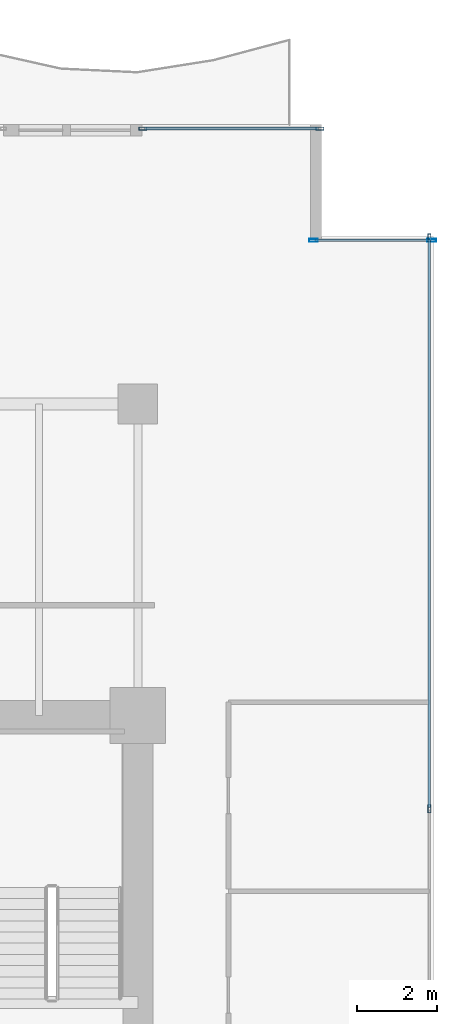
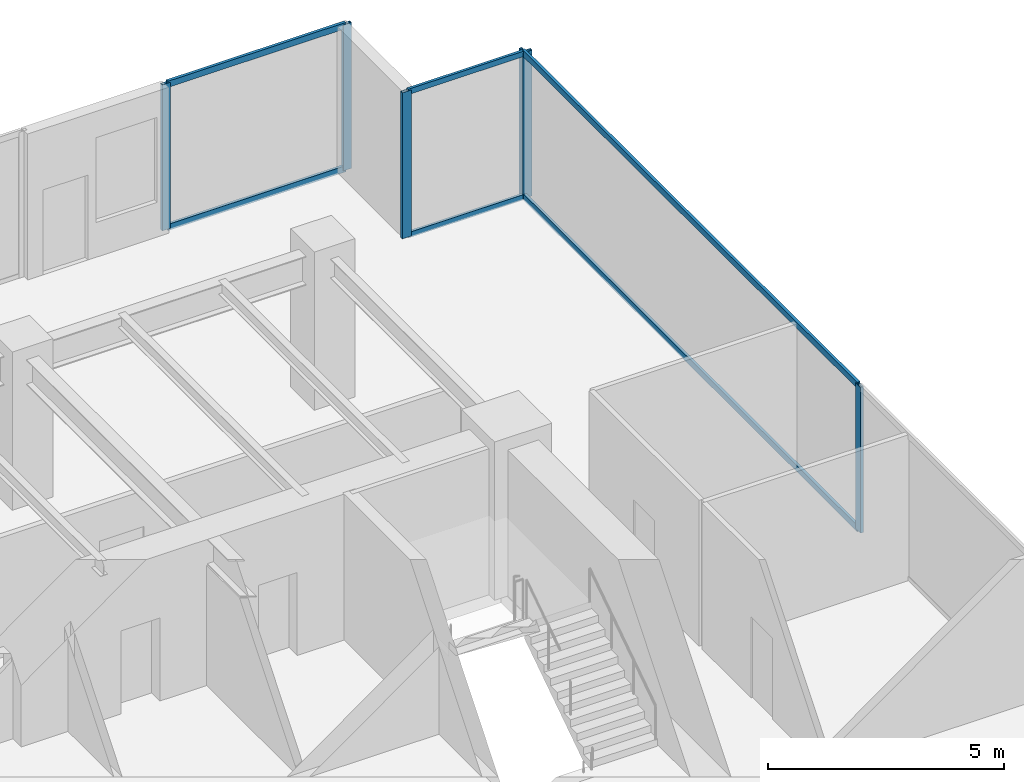
# One storey, part 22 of 31: 12 members, 3 elements without a shape of their own.
"""IFC4 building model written with IfcOpenShell, lengths in metres."""

from ifc_helpers import new_model, si_unit, direction, frame, origin, origin_2d, place, context, subcontext, project, spatial, hollow_rectangle, extrude, source, transform, mapped, material, layer, layer_set, material_profile, profile_set, type_object, type_shapes, element, aggregate, save


model = new_model("IFC4")

# Units and contexts
model_context = context("Model", 3, precision=1e-05, world=origin(), true_north=direction((0.0, 1.0)))
body_context = subcontext(model_context, "Body", "Model", "MODEL_VIEW")
ifc_project = project(units=[si_unit("LENGTHUNIT", "METRE"), si_unit("AREAUNIT", "SQUARE_METRE"), si_unit("VOLUMEUNIT", "CUBIC_METRE"), si_unit("PLANEANGLEUNIT", "RADIAN"), si_unit("MASSUNIT", "GRAM", prefix="KILO")], contexts=[model_context])

# Site, building, storey
site_placement = place(None, origin())
site = spatial("IfcSite", under=ifc_project, at=site_placement, CompositionType="ELEMENT")
building_placement = place(site_placement, origin())
building = spatial("IfcBuilding", under=site, at=building_placement, Name="Haelvirn Gate Laboratories", CompositionType="ELEMENT")
storey_placement = place(building_placement, frame((0.0, 0.0, 62.10009765625)))
storey = spatial("IfcBuildingStorey", under=building, at=storey_placement, Name="L15", CompositionType="ELEMENT", Elevation=62.10009765625)

# Curtain wall, members
ifc_material_1 = material(Name="Anodised bronze unitised aluminium & triple low-E glass", Category="aluminium")
ifc_layer_1 = layer(ifc_material_1, 0.181884765625, Name="CW-SYS-5")
ifc_layer_set_1 = layer_set([ifc_layer_1], Name="Anodised bronze unitised aluminium & triple low-E glass")
curtain_wall_type_1 = type_object("IfcCurtainWallType", Name="CW-SYS-5", PredefinedType="NOTDEFINED", material=ifc_layer_set_1)
curtain_wall_1_placement = place(storey_placement, origin())
curtain_wall_1 = element("IfcCurtainWall", 1, at=curtain_wall_1_placement, inside=storey, type_object=curtain_wall_type_1, Name="L15 Unitised Curtain Wall CW-L15-P0-E08-1", PredefinedType="NOTDEFINED")
ifc_material_2 = material(Name="Extruded aluminium 6063-T6 (anodised bronze)", Category="aluminium")
ifc_material_profile_1 = material_profile(ifc_material_2, hollow_rectangle(XDim=0.06494140625, YDim=0.139892578125, WallThickness=0.00390625, at=origin_2d()), Name="CWT-140x65x4")
ifc_profile_set_1 = profile_set([ifc_material_profile_1], Name="Extruded aluminium 6063-T6 (anodised bronze)")
member_type_1 = type_object("IfcMemberType", Name="CWT-T140", PredefinedType="USERDEFINED", material=ifc_profile_set_1)
shared_shape_1 = source(origin(), body_context, "Body", "SweptSolid", [
    extrude(hollow_rectangle(XDim=0.06494140625, YDim=0.139892578125, WallThickness=0.00390625, at=origin_2d()), origin(), (0.0, 0.0, 1.0), 2.8798828125),
])
type_shapes(member_type_1, [shared_shape_1])
member_1_placement = place(storey_placement, frame((71.840087890625, 45.699951171875, 0.032470703125), z_axis=(1.0, 0.0, 0.0), x_axis=(0.0, 1.0, 0.0)))
member_1 = element("IfcMember", 2, at=member_1_placement, type_object=member_type_1, Name="CW5 transom 1.1", ObjectType="TRANSOM", PredefinedType="USERDEFINED", context=body_context, shape_type="MappedRepresentation", body=[
    mapped(shared_shape_1, transform((0.0, 0.0, 0.0), scale=1.0)),
])
member_2_placement = place(storey_placement, frame((71.840087890625, 45.699951171875, 3.747314453125), z_axis=(1.0, 0.0, 0.0), x_axis=(0.0, 1.0, 0.0)))
member_2 = element("IfcMember", 3, at=member_2_placement, type_object=member_type_1, Name="CW5 transom 1.2", ObjectType="TRANSOM", PredefinedType="USERDEFINED", context=body_context, shape_type="MappedRepresentation", body=[
    mapped(shared_shape_1, transform((0.0, 0.0, 0.0), scale=1.0)),
])

ifc_layer_2 = layer(ifc_material_1, 0.18408203125, Name="CW-SYS-2")
ifc_layer_set_2 = layer_set([ifc_layer_2], Name="Anodised bronze unitised aluminium & triple low-E glass")
curtain_wall_type_2 = type_object("IfcCurtainWallType", Name="CW-SYS-2", PredefinedType="NOTDEFINED", material=ifc_layer_set_2)
curtain_wall_2_placement = place(storey_placement, origin())
curtain_wall_2 = element("IfcCurtainWall", 4, at=curtain_wall_2_placement, inside=storey, type_object=curtain_wall_type_2, Name="L15 Unitised Curtain Wall CW-L15-P0-E07", PredefinedType="NOTDEFINED")
ifc_material_profile_2 = material_profile(ifc_material_2, hollow_rectangle(XDim=0.070068359375, YDim=0.159912109375, WallThickness=0.0048828125, at=origin_2d()), Name="CWT-160x70x5")
ifc_profile_set_2 = profile_set([ifc_material_profile_2], Name="Extruded aluminium 6063-T6 (anodised bronze)")
member_type_2 = type_object("IfcMemberType", Name="CWT-T160", PredefinedType="USERDEFINED", material=ifc_profile_set_2)
shared_shape_2 = source(origin(), body_context, "Body", "SweptSolid", [
    extrude(hollow_rectangle(XDim=0.070068359375, YDim=0.159912109375, WallThickness=0.0048828125, at=origin_2d()), origin(), (0.0, 0.0, 1.0), 14.220947265625),
])
member_3_placement = place(storey_placement, frame((74.699951171875, 31.504150390625, 0.034912109375), z_axis=(0.0, 1.0, 0.0), x_axis=(-1.0, 0.0, 0.0)))
member_3 = element("IfcMember", 5, at=member_3_placement, type_object=member_type_2, Name="CW2 transom 3.1", ObjectType="TRANSOM", PredefinedType="USERDEFINED", context=body_context, shape_type="MappedRepresentation", body=[
    mapped(shared_shape_2, transform((0.0, 0.0, 0.0), scale=1.0)),
])
member_4_placement = place(storey_placement, frame((74.699951171875, 31.504150390625, 3.744873046875), z_axis=(0.0, 1.0, 0.0), x_axis=(-1.0, 0.0, 0.0)))
member_4 = element("IfcMember", 6, at=member_4_placement, type_object=member_type_2, Name="CW2 transom 3.2", ObjectType="TRANSOM", PredefinedType="USERDEFINED", context=body_context, shape_type="MappedRepresentation", body=[
    mapped(shared_shape_2, transform((0.0, 0.0, 0.0), scale=1.0)),
])

curtain_wall_3_placement = place(storey_placement, origin())
curtain_wall_3 = element("IfcCurtainWall", 7, at=curtain_wall_3_placement, inside=storey, type_object=curtain_wall_type_2, Name="L15 Unitised Curtain Wall CW-L15-P0-E10-2", PredefinedType="NOTDEFINED")
shared_shape_3 = source(origin(), body_context, "Body", "SweptSolid", [
    extrude(hollow_rectangle(XDim=0.070068359375, YDim=0.159912109375, WallThickness=0.0048828125, at=origin_2d()), origin(), (0.0, 0.0, 1.0), 4.360107421875),
])
type_shapes(member_type_2, [shared_shape_2, shared_shape_3])
member_5_placement = place(storey_placement, frame((67.56494140625, 48.5, 0.034912109375), z_axis=(1.0, 0.0, 0.0), x_axis=(0.0, 1.0, 0.0)))
member_5 = element("IfcMember", 8, at=member_5_placement, type_object=member_type_2, Name="CW2 transom 1.1", ObjectType="TRANSOM", PredefinedType="USERDEFINED", context=body_context, shape_type="MappedRepresentation", body=[
    mapped(shared_shape_3, transform((0.0, 0.0, 0.0), scale=1.0)),
])
member_6_placement = place(storey_placement, frame((67.56494140625, 48.5, 3.744873046875), z_axis=(1.0, 0.0, 0.0), x_axis=(0.0, 1.0, 0.0)))
member_6 = element("IfcMember", 9, at=member_6_placement, type_object=member_type_2, Name="CW2 transom 1.2", ObjectType="TRANSOM", PredefinedType="USERDEFINED", context=body_context, shape_type="MappedRepresentation", body=[
    mapped(shared_shape_3, transform((0.0, 0.0, 0.0), scale=1.0)),
])

# Member
ifc_material_profile_3 = material_profile(ifc_material_2, hollow_rectangle(XDim=0.074951171875, YDim=0.199951171875, WallThickness=0.0048828125, at=origin_2d()), Name="CWM-200x75x5")
ifc_profile_set_3 = profile_set([ifc_material_profile_3], Name="Extruded aluminium 6063-T6 (anodised bronze)")
member_type_3 = type_object("IfcMemberType", Name="CWM-T200", PredefinedType="MULLION", material=ifc_profile_set_3)
shared_shape_4 = source(origin(), body_context, "Body", "SweptSolid", [
    extrude(hollow_rectangle(XDim=0.074951171875, YDim=0.199951171875, WallThickness=0.0048828125, at=origin_2d()), origin(), (0.0, 0.0, 1.0), 3.77978515625),
])
type_shapes(member_type_3, [shared_shape_4])
member_7_placement = place(storey_placement, frame((74.699951171875, 31.466552734375, 0.0), z_axis=(0.0, 0.0, 1.0), x_axis=(-1.0, 0.0, 0.0)))
member_7 = element("IfcMember", 10, at=member_7_placement, type_object=member_type_3, Name="CW2 mullion 3", PredefinedType="MULLION", context=body_context, shape_type="MappedRepresentation", body=[
    mapped(shared_shape_4, transform((0.0, 0.0, 0.0), scale=1.0)),
])

member_8_placement = place(storey_placement, frame((74.699951171875, 45.762451171875, 0.0), z_axis=(0.0, 0.0, 1.0), x_axis=(-1.0, 0.0, 0.0)))
member_8 = element("IfcMember", 11, at=member_8_placement, type_object=member_type_3, Name="CW2 mullion 4", PredefinedType="MULLION", context=body_context, shape_type="MappedRepresentation", body=[
    mapped(shared_shape_4, transform((0.0, 0.0, 0.0), scale=1.0)),
])

aggregate(curtain_wall_2, [member_7, member_8, member_3, member_4])

member_9_placement = place(storey_placement, frame((67.527587890625, 48.5, 0.0), z_axis=(0.0, 0.0, 1.0), x_axis=(0.0, 1.0, 0.0)))
member_9 = element("IfcMember", 12, at=member_9_placement, type_object=member_type_3, Name="CW2 mullion 1", PredefinedType="MULLION", context=body_context, shape_type="MappedRepresentation", body=[
    mapped(shared_shape_4, transform((0.0, 0.0, 0.0), scale=1.0)),
])

member_10_placement = place(storey_placement, frame((71.96240234375, 48.5, 0.0), z_axis=(0.0, 0.0, 1.0), x_axis=(0.0, 1.0, 0.0)))
member_10 = element("IfcMember", 13, at=member_10_placement, type_object=member_type_3, Name="CW2 mullion 2", PredefinedType="MULLION", context=body_context, shape_type="MappedRepresentation", body=[
    mapped(shared_shape_4, transform((0.0, 0.0, 0.0), scale=1.0)),
])

aggregate(curtain_wall_3, [member_9, member_10, member_5, member_6])

ifc_material_profile_4 = material_profile(ifc_material_2, hollow_rectangle(XDim=0.080078125, YDim=0.219970703125, WallThickness=0.006103515625, at=origin_2d()), Name="CWM-220x80x6")
ifc_profile_set_4 = profile_set([ifc_material_profile_4], Name="Extruded aluminium 6063-T6 (anodised bronze)")
member_type_4 = type_object("IfcMemberType", Name="CWM-T220", PredefinedType="MULLION", material=ifc_profile_set_4)
shared_shape_5 = source(origin(), body_context, "Body", "SweptSolid", [
    extrude(hollow_rectangle(XDim=0.080078125, YDim=0.219970703125, WallThickness=0.006103515625, at=origin_2d()), origin(), (0.0, 0.0, 1.0), 3.77978515625),
])
type_shapes(member_type_4, [shared_shape_5])
member_11_placement = place(storey_placement, frame((71.800048828125, 45.699951171875, 0.0), z_axis=(0.0, 0.0, 1.0), x_axis=(0.0, 1.0, 0.0)))
member_11 = element("IfcMember", 14, at=member_11_placement, type_object=member_type_4, Name="CW5 mullion 1", PredefinedType="MULLION", context=body_context, shape_type="MappedRepresentation", body=[
    mapped(shared_shape_5, transform((0.0, 0.0, 0.0), scale=1.0)),
])

member_12_placement = place(storey_placement, frame((74.760009765625, 45.699951171875, 0.0), z_axis=(0.0, 0.0, 1.0), x_axis=(0.0, 1.0, 0.0)))
member_12 = element("IfcMember", 15, at=member_12_placement, type_object=member_type_4, Name="CW5 mullion 2", PredefinedType="MULLION", context=body_context, shape_type="MappedRepresentation", body=[
    mapped(shared_shape_5, transform((0.0, 0.0, 0.0), scale=1.0)),
])

aggregate(curtain_wall_1, [member_11, member_12, member_1, member_2])

save(model, "model.ifc")
